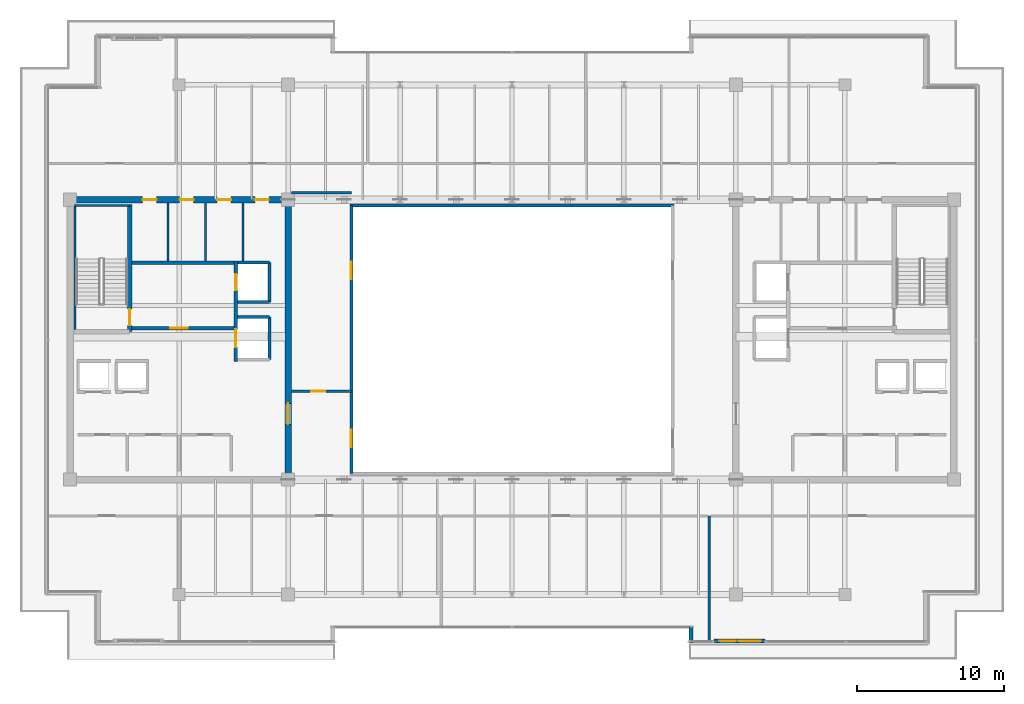
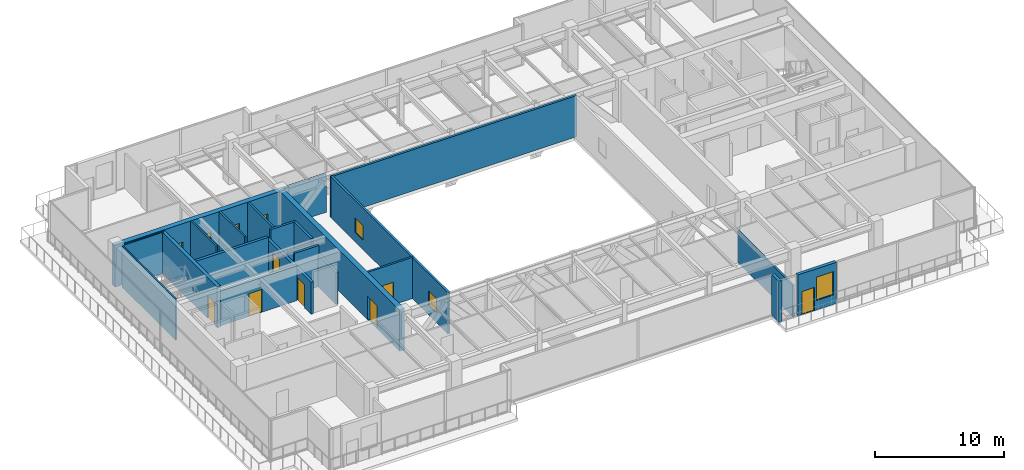
# One storey, part 27 of 34: 23 walls, 11 doors, 3 windows, 14 openings.
"""IFC4 building model written with IfcOpenShell, lengths in metres."""

import ifcopenshell
import ifcopenshell.guid

model = None  # the IFC model being written
_history = None  # IfcOwnerHistory: only IFC2X3 demands one
_inside = {}  # id of a spatial element -> (the spatial element, [elements in it])
_under = {}  # id of a project, library or spatial element -> (it, [spatial elements below it])
_declared = {}  # id of a project -> (the project, [libraries it declares])
_typed = {}  # id of a type object -> (the type object, [elements of that type])
_made_of = {}  # id of a material, layer set ... -> (it, [elements and type objects made of it])


def new_model(schema):
    """Start an empty IFC model of exactly this schema.

    Asked for "IFC4X3", IfcOpenShell would pick the latest addendum, in which some entities
    have other attributes; the version numbers below select the first issue.
    IFC2X3 requires an IfcOwnerHistory on every rooted entity: one is made here for all.
    """
    global model, _history
    if schema == "IFC4X3":
        model = ifcopenshell.file(schema_version=(4, 3, 0, 0))
    else:
        model = ifcopenshell.file(schema=schema)
    _inside.clear()
    _under.clear()
    _declared.clear()
    _typed.clear()
    _made_of.clear()
    _history = None
    if model.schema == "IFC2X3":
        org = make("IfcOrganization", Name="unknown")
        user = make(
            "IfcPersonAndOrganization",
            ThePerson=make("IfcPerson", FamilyName="unknown"),
            TheOrganization=org,
        )
        app = make(
            "IfcApplication",
            ApplicationDeveloper=org,
            Version="unknown",
            ApplicationFullName="unknown",
            ApplicationIdentifier="unknown",
        )
        _history = make(
            "IfcOwnerHistory",
            OwningUser=user,
            OwningApplication=app,
            ChangeAction="ADDED",
            CreationDate=0,
        )
    return model


def make(cls, **values):
    """One entity of the class cls with the attributes given. An attribute that is None is left unset."""
    return model.create_entity(
        cls, **{name: value for name, value in values.items() if value is not None}
    )


def rooted(cls, **values):
    """An entity with a GlobalId (a new one), such as an element, a storey or a relation."""
    return make(cls, GlobalId=ifcopenshell.guid.new(), OwnerHistory=_history, **values)


def si_unit(unit_type, name, prefix=None):
    """IfcSIUnit, for example si_unit("LENGTHUNIT", "METRE", prefix="MILLI")."""
    return make("IfcSIUnit", UnitType=unit_type, Prefix=prefix, Name=name)


def assignment(units):
    """IfcUnitAssignment: the units of a project."""
    return None if units is None else make("IfcUnitAssignment", Units=units)


def point(xyz):
    """IfcCartesianPoint."""
    return None if xyz is None else make("IfcCartesianPoint", Coordinates=xyz)


def direction(xyz):
    """IfcDirection."""
    return None if xyz is None else make("IfcDirection", DirectionRatios=xyz)


def frame(location, z_axis=None, x_axis=None):
    """IfcAxis2Placement3D, a coordinate frame: its origin and axes. An axis left out is left unset."""
    return make(
        "IfcAxis2Placement3D",
        Location=point(location),
        Axis=direction(z_axis),
        RefDirection=direction(x_axis),
    )


def frame_2d(location, x_axis=None):
    """IfcAxis2Placement2D, a coordinate frame in the plane: its origin and x axis."""
    return make(
        "IfcAxis2Placement2D", Location=point(location), RefDirection=direction(x_axis)
    )


def origin():
    """The frame at (0, 0, 0) with its axes left unset."""
    return frame((0.0, 0.0, 0.0))


def place(relative_to, where):
    """IfcLocalPlacement: puts the frame where relative to a parent placement (None: the world)."""
    return make(
        "IfcLocalPlacement", PlacementRelTo=relative_to, RelativePlacement=where
    )


def context(
    kind, dimensions, precision=None, world=None, true_north=None, identifier=None
):
    """IfcGeometricRepresentationContext, for example the 3D "Model" context."""
    return make(
        "IfcGeometricRepresentationContext",
        ContextIdentifier=identifier,
        ContextType=kind,
        CoordinateSpaceDimension=dimensions,
        Precision=precision,
        WorldCoordinateSystem=world,
        TrueNorth=true_north,
    )


def subcontext(parent, identifier, kind, view, scale=None):
    """IfcGeometricRepresentationSubContext, for example "Body" below "Model"."""
    return make(
        "IfcGeometricRepresentationSubContext",
        ContextIdentifier=identifier,
        ContextType=kind,
        ParentContext=parent,
        TargetScale=scale,
        TargetView=view,
    )


def project(units=None, contexts=None):
    """IfcProject with its units and contexts."""
    return rooted(
        "IfcProject",
        Name="project",
        RepresentationContexts=contexts,
        UnitsInContext=assignment(units),
    )


def spatial(cls, under=None, at=None, **own):
    """A site, building, storey or space (cls), placed at a placement, below another one or the project."""
    s = rooted(cls, ObjectPlacement=at, **own)
    if under is not None:
        _under.setdefault(under.id(), (under, []))[1].append(s)
    return s


def profile(cls, at=None, kind="AREA", **sizes):
    """A parametric profile (cls). Its sizes go by their IFC names, for example OverallWidth=200.0."""
    return make(cls, ProfileType=kind, Position=at, **sizes)


def rectangle(**sizes):
    """IfcRectangleProfileDef."""
    return profile("IfcRectangleProfileDef", **sizes)


def extrude(swept, where, along, depth):
    """IfcExtrudedAreaSolid: the profile swept, set in the frame where, extruded along a direction by depth."""
    return make(
        "IfcExtrudedAreaSolid",
        SweptArea=swept,
        Position=where,
        ExtrudedDirection=direction(along),
        Depth=depth,
    )


def shape(context_of_items, identifier, shape_type, items):
    """IfcShapeRepresentation: the items that make up one representation, for example the "Body"."""
    return make(
        "IfcShapeRepresentation",
        ContextOfItems=context_of_items,
        RepresentationIdentifier=identifier,
        RepresentationType=shape_type,
        Items=items,
    )


def source(mapping_origin, context_of_items, identifier, shape_type, items):
    """IfcRepresentationMap: a shape defined once, which mapped items show again and again."""
    return make(
        "IfcRepresentationMap",
        MappingOrigin=mapping_origin,
        MappedRepresentation=shape(context_of_items, identifier, shape_type, items),
    )


def transform(
    local_origin,
    x_axis=None,
    y_axis=None,
    z_axis=None,
    scale=None,
    scale2=None,
    scale3=None,
    uniform=True,
):
    """IfcCartesianTransformationOperator3D, or its non-uniform kind. x_axis, y_axis, z_axis: its Axis1, 2, 3."""
    if uniform:
        return make(
            "IfcCartesianTransformationOperator3D",
            Axis1=direction(x_axis),
            Axis2=direction(y_axis),
            LocalOrigin=point(local_origin),
            Scale=scale,
            Axis3=direction(z_axis),
        )
    return make(
        "IfcCartesianTransformationOperator3DnonUniform",
        Axis1=direction(x_axis),
        Axis2=direction(y_axis),
        LocalOrigin=point(local_origin),
        Scale=scale,
        Axis3=direction(z_axis),
        Scale2=scale2,
        Scale3=scale3,
    )


def mapped(mapping_source, mapping_target):
    """IfcMappedItem: shows the shape of a source again, moved by a transform."""
    return make(
        "IfcMappedItem", MappingSource=mapping_source, MappingTarget=mapping_target
    )


def material(Name=None, Category=None):
    """IfcMaterial."""
    return make("IfcMaterial", Name=Name, Category=Category)


def layer(
    of_material, thickness, ventilated=None, Name=None, Category=None, Priority=None
):
    """IfcMaterialLayer: one layer of a wall or slab, of a material (None: an air gap)."""
    return make(
        "IfcMaterialLayer",
        Material=of_material,
        LayerThickness=thickness,
        IsVentilated=ventilated,
        Name=Name,
        Category=Category,
        Priority=Priority,
    )


def layer_set(layers, Name=None):
    """IfcMaterialLayerSet."""
    return make("IfcMaterialLayerSet", MaterialLayers=layers, LayerSetName=Name)


def made_of(thing, what):
    """Note that an element or type object is made of a material, layer set ...; save() writes the relation."""
    if what is not None:
        _made_of.setdefault(what.id(), (what, []))[1].append(thing)
    return thing


def type_object(cls, material=None, **own):
    """A type object (cls), such as IfcWallType, which elements share."""
    return made_of(rooted(cls, **own), material)


def type_shapes(of_type, sources):
    """Give a type object the sources (RepresentationMaps) that its elements show as mapped items."""
    of_type.RepresentationMaps = sources


def element(
    cls,
    number,
    at=None,
    inside=None,
    cuts=None,
    type_object=None,
    material=None,
    context=None,
    identifier="Body",
    shape_type=None,
    held_by="IfcProductDefinitionShape",
    body=None,
    shapes=None,
    **own,
):
    """One element of the class cls, such as IfcWall. Its Tag is "e" and its number.

    at: its placement. inside: the storey or other place that contains it. cuts: it is an
    opening in that element (IfcRelVoidsElement). A single representation is given by context,
    identifier, shape_type and body (its items); several are given by shapes. held_by: the class
    of the entity that holds the representations. save() writes the other relations.
    """
    e = rooted(cls, Tag="e%d" % number, ObjectPlacement=at, **own)
    if body is not None:
        shapes = [shape(context, identifier, shape_type, body)]
    if shapes is not None:
        e.Representation = make(held_by, Representations=shapes)
    if inside is not None:
        _inside.setdefault(inside.id(), (inside, []))[1].append(e)
    if cuts is not None:
        rooted(
            "IfcRelVoidsElement", RelatingBuildingElement=cuts, RelatedOpeningElement=e
        )
    if type_object is not None:
        _typed.setdefault(type_object.id(), (type_object, []))[1].append(e)
    return made_of(e, material)


def fill(opening, filler):
    """IfcRelFillsElement: the door or window that sits in an opening."""
    return rooted(
        "IfcRelFillsElement",
        RelatingOpeningElement=opening,
        RelatedBuildingElement=filler,
    )


def aggregate(whole, parts):
    """IfcRelAggregates: a whole, such as a stair, and the parts it consists of."""
    return rooted("IfcRelAggregates", RelatingObject=whole, RelatedObjects=parts)


def save(model, path):
    """Write the relations noted so far, then the file.

    IfcRelAggregates (storeys below a building ...), IfcRelContainedInSpatialStructure (elements
    in a storey), IfcRelDefinesByType, IfcRelAssociatesMaterial and IfcRelDeclares: one each for
    every whole, place, type object, material and project.
    """
    for whole, parts in _under.values():
        aggregate(whole, parts)
    for where, things in _inside.values():
        rooted(
            "IfcRelContainedInSpatialStructure",
            RelatedElements=things,
            RelatingStructure=where,
        )
    for kind, things in _typed.values():
        rooted("IfcRelDefinesByType", RelatedObjects=things, RelatingType=kind)
    for what, things in _made_of.values():
        rooted("IfcRelAssociatesMaterial", RelatedObjects=things, RelatingMaterial=what)
    for by, libraries in _declared.values():
        rooted("IfcRelDeclares", RelatingContext=by, RelatedDefinitions=libraries)
    model.write(path)


model = new_model("IFC4")

# Units and contexts
model_context = context("Model", 3, precision=1e-05, world=origin(), true_north=direction((0.0, 1.0)))
body_context = subcontext(model_context, "Body", "Model", "MODEL_VIEW")
ifc_project = project(units=[si_unit("LENGTHUNIT", "METRE"), si_unit("AREAUNIT", "SQUARE_METRE"), si_unit("VOLUMEUNIT", "CUBIC_METRE"), si_unit("PLANEANGLEUNIT", "RADIAN"), si_unit("MASSUNIT", "GRAM", prefix="KILO")], contexts=[model_context])

# Site, building, storey
site_placement = place(None, origin())
site = spatial("IfcSite", under=ifc_project, at=site_placement, CompositionType="ELEMENT")
building_placement = place(site_placement, origin())
building = spatial("IfcBuilding", under=site, at=building_placement, Name="Haelvirn Gate Laboratories", CompositionType="ELEMENT")
storey_placement = place(building_placement, frame((0.0, 0.0, 297.60009765625)))
storey = spatial("IfcBuildingStorey", under=building, at=storey_placement, Name="L71", CompositionType="ELEMENT", Elevation=297.60009765625)

# Wall, openings, door, window
ifc_material_1 = material(Name="Thermally-broken bronze aluminium rainscreen & mineral wool", Category="aluminium")
ifc_layer_1 = layer(ifc_material_1, 0.280029296875, Name="EW-TERR-280")
ifc_layer_set_1 = layer_set([ifc_layer_1], Name="Thermally-broken bronze aluminium rainscreen & mineral wool")
wall_type_1 = type_object("IfcWallType", Name="EW-TERR-280", PredefinedType="STANDARD", material=ifc_layer_set_1)
wall_1_placement = place(storey_placement, frame((51.1220703125, 3.840087890625, 0.0), z_axis=(0.0, 0.0, 1.0), x_axis=(1.0, 0.0, 0.0)))
wall_1 = element("IfcWall", 1, at=wall_1_placement, inside=storey, type_object=wall_type_1, Name="L71 Terrace Access Wall SETB-ES", PredefinedType="STANDARD", context=body_context, shape_type="SweptSolid", body=[
    extrude(rectangle(XDim=3.455810546875, YDim=0.280029296875, at=frame_2d((1.72802734375, 0.0))), origin(), (0.0, 0.0, 1.0), 3.89990234375),
])
opening_1_placement = place(wall_1_placement, frame((0.3779296875, 0.0, 0.0)))
opening_1 = element("IfcOpeningElement", 2, at=opening_1_placement, cuts=wall_1, Name="Opening TD1", PredefinedType="OPENING", context=body_context, shape_type="SweptSolid", body=[
    extrude(rectangle(XDim=1.10009765625, YDim=2.199951171875, at=frame_2d((0.550048828125, 1.10009765625))), frame((0.0, 0.14990234375, 0.0), z_axis=(0.0, -1.0, 0.0), x_axis=(1.0, 0.0, 0.0)), (0.0, 0.0, 1.0), 0.300048828125),
])
opening_2_placement = place(wall_1_placement, frame((1.677978515625, 0.0, 0.89990234375)))
opening_2 = element("IfcOpeningElement", 3, at=opening_2_placement, cuts=wall_1, Name="Opening W3", PredefinedType="OPENING", context=body_context, shape_type="SweptSolid", body=[
    extrude(rectangle(XDim=1.5, YDim=2.199951171875, at=frame_2d((0.75, 1.10009765625))), frame((0.0, 0.14990234375, 0.0), z_axis=(0.0, -1.0, 0.0), x_axis=(1.0, 0.0, 0.0)), (0.0, 0.0, 1.0), 0.300048828125),
])
ifc_material_2 = material(Name="Thermally-broken bronze aluminium glazed terrace door", Category="aluminium")
door_type_1 = type_object("IfcDoorType", Name="DR-TERR-1100", OperationType="NOTDEFINED", PredefinedType="DOOR", material=ifc_material_2)
shared_shape_1 = source(origin(), body_context, "Body", "SweptSolid", [
    extrude(rectangle(XDim=1.10009765625, YDim=2.199951171875, at=frame_2d((0.550048828125, 1.10009765625))), frame((0.0, 0.02490234375, 0.0), z_axis=(0.0, -1.0, 0.0), x_axis=(1.0, 0.0, 0.0)), (0.0, 0.0, 1.0), 0.050048828125),
])
type_shapes(door_type_1, [shared_shape_1])
door_1_placement = place(opening_1_placement, origin())
door_1 = element("IfcDoor", 4, at=door_1_placement, inside=storey, type_object=door_type_1, Name="L71 Terrace Access Door SETB-ES", OperationType="SINGLE_SWING_LEFT", OverallHeight=2.199951171875, OverallWidth=1.10009765625, PredefinedType="DOOR", context=body_context, shape_type="MappedRepresentation", body=[
    mapped(shared_shape_1, transform((0.0, 0.0, 0.0), scale=1.0)),
])
fill(opening_1, door_1)
ifc_material_3 = material(Name="Bronze anodised aluminium & triple low-E glass", Category="aluminium")
window_type_1 = type_object("IfcWindowType", Name="WIN-TERR-1600", PartitioningType="SINGLE_PANEL", PredefinedType="WINDOW", material=ifc_material_3)
shared_shape_2 = source(origin(), body_context, "Body", "SweptSolid", [
    extrude(rectangle(XDim=1.5, YDim=2.199951171875, at=frame_2d((0.75, 1.10009765625))), frame((0.0, 0.030029296875, 0.0), z_axis=(0.0, -1.0, 0.0), x_axis=(1.0, 0.0, 0.0)), (0.0, 0.0, 1.0), 0.06005859375),
])
type_shapes(window_type_1, [shared_shape_2])
window_1_placement = place(opening_2_placement, origin())
window_1 = element("IfcWindow", 5, at=window_1_placement, inside=storey, type_object=window_type_1, Name="L71 Terrace Vision Window SETB-ES", OverallHeight=2.199951171875, OverallWidth=1.5, PartitioningType="SINGLE_PANEL", PredefinedType="WINDOW", context=body_context, shape_type="MappedRepresentation", body=[
    mapped(shared_shape_2, transform((0.0, 0.0, 0.0), scale=1.0)),
])
fill(opening_2, window_1)

# Walls
wall_2_placement = place(storey_placement, frame((49.5400390625, 4.79296875, 0.0), z_axis=(0.0, 0.0, 1.0), x_axis=(0.0, -1.0, 0.0)))
element("IfcWall", 6, at=wall_2_placement, inside=storey, type_object=wall_type_1, Name="L71 Atrium Recess Bronze Return Wall 03", PredefinedType="STANDARD", context=body_context, shape_type="SweptSolid", body=[
    extrude(rectangle(XDim=1.093017578125, YDim=0.280029296875, at=frame_2d((0.54638671875, 0.0))), origin(), (0.0, 0.0, 1.0), 3.89990234375),
])
ifc_material_4 = material(Name="Double-layer acoustic gypsum laboratory partition", Category="gypsum")
ifc_layer_2 = layer(ifc_material_4, 0.159912109375, Name="IW-ACOUST-160")
ifc_layer_set_2 = layer_set([ifc_layer_2], Name="Double-layer acoustic gypsum laboratory partition")
wall_type_2 = type_object("IfcWallType", Name="IW-ACOUST-160", PredefinedType="PARTITIONING", material=ifc_layer_set_2)
wall_3_placement = place(storey_placement, frame((50.800048828125, 3.81005859375, 0.0), z_axis=(0.0, 0.0, 1.0), x_axis=(0.0, 1.0, 0.0)))
element("IfcWall", 7, at=wall_3_placement, inside=storey, type_object=wall_type_2, Name="L71 Interior Wall IW-L71-SDIV-03", PredefinedType="PARTITIONING", context=body_context, shape_type="SweptSolid", body=[
    extrude(rectangle(XDim=8.530029296875, YDim=0.159912109375, at=frame_2d((4.26513671875, 0.0))), origin(), (0.0, 0.0, 1.0), 2.98486328125),
])
ifc_material_5 = material(Name="Fire-rated acoustic gypsum board partition", Category="gypsum")
ifc_layer_3 = layer(ifc_material_5, 0.175048828125, Name="IW-ACOUST-180")
ifc_layer_set_3 = layer_set([ifc_layer_3], Name="Fire-rated acoustic gypsum board partition")
wall_type_3 = type_object("IfcWallType", Name="IW-ACOUST-180", PredefinedType="PARTITIONING", material=ifc_layer_set_3)
wall_4_placement = place(storey_placement, frame((22.425048828125, 34.260009765625, 0.0), z_axis=(0.0, 0.0, 1.0), x_axis=(1.0, 0.0, 0.0)))
element("IfcWall", 8, at=wall_4_placement, inside=storey, type_object=wall_type_3, Name="L71 Interior Wall IW-L71-WPOD-N", PredefinedType="PARTITIONING", context=body_context, shape_type="SweptSolid", body=[
    extrude(rectangle(XDim=4.074951171875, YDim=0.175048828125, at=frame_2d((2.03759765625, 0.0))), origin(), (0.0, 0.0, 1.0), 3.635009765625),
])

# Wall, opening, door
wall_5_placement = place(storey_placement, frame((22.425048828125, 20.800048828125, 0.0), z_axis=(0.0, 0.0, 1.0), x_axis=(1.0, 0.0, 0.0)))
wall_5 = element("IfcWall", 9, at=wall_5_placement, inside=storey, type_object=wall_type_3, Name="L71 Interior Wall IW-L71-WPOD-S", PredefinedType="PARTITIONING", context=body_context, shape_type="SweptSolid", body=[
    extrude(rectangle(XDim=4.074951171875, YDim=0.175048828125, at=frame_2d((2.03759765625, 0.0))), origin(), (0.0, 0.0, 1.0), 3.89990234375),
])
opening_3_placement = place(wall_5_placement, frame((1.35009765625, 0.0, 0.0)))
opening_3 = element("IfcOpeningElement", 10, at=opening_3_placement, cuts=wall_5, Name="Opening FD4", PredefinedType="OPENING", context=body_context, shape_type="SweptSolid", body=[
    extrude(rectangle(XDim=0.949951171875, YDim=2.14990234375, at=frame_2d((0.47509765625, 1.074951171875))), frame((0.0, 0.09765625, 0.0), z_axis=(0.0, -1.0, 0.0), x_axis=(1.0, 0.0, 0.0)), (0.0, 0.0, 1.0), 0.195068359375),
])
ifc_material_6 = material(Name="Fire-rated steel SM355 core service door", Category="steel")
door_type_2 = type_object("IfcDoorType", Name="DR-FD-950", OperationType="NOTDEFINED", PredefinedType="DOOR", material=ifc_material_6)
shared_shape_3 = source(origin(), body_context, "Body", "SweptSolid", [
    extrude(rectangle(XDim=0.949951171875, YDim=2.14990234375, at=frame_2d((0.47509765625, 1.074951171875))), frame((0.0, 0.02490234375, 0.0), z_axis=(0.0, -1.0, 0.0), x_axis=(1.0, 0.0, 0.0)), (0.0, 0.0, 1.0), 0.050048828125),
])
type_shapes(door_type_2, [shared_shape_3])
door_2_placement = place(opening_3_placement, origin())
door_2 = element("IfcDoor", 11, at=door_2_placement, inside=storey, type_object=door_type_2, Name="L71 High-Zone Computational Suite Door", OperationType="SINGLE_SWING_RIGHT", OverallHeight=2.14990234375, OverallWidth=0.949951171875, PredefinedType="DOOR", context=body_context, shape_type="MappedRepresentation", body=[
    mapped(shared_shape_3, transform((0.0, 0.0, 0.0), scale=1.0)),
])
fill(opening_3, door_2)

# Wall, openings, windows
ifc_material_7 = material(Name="Tempered fire-rated borosilicate glass & anodised aluminium", Category="aluminium")
ifc_layer_4 = layer(ifc_material_7, 0.195068359375, Name="IW-GLAZ-200")
ifc_layer_set_4 = layer_set([ifc_layer_4], Name="Tempered fire-rated borosilicate glass & anodised aluminium")
wall_type_4 = type_object("IfcWallType", Name="IW-GLAZ-200", PredefinedType="SOLIDWALL", material=ifc_layer_set_4)
wall_6_placement = place(storey_placement, frame((26.5, 15.199951171875, 0.0), z_axis=(0.0, 0.0, 1.0), x_axis=(0.0, 1.0, 0.0)))
wall_6 = element("IfcWall", 12, at=wall_6_placement, inside=storey, type_object=wall_type_4, Name="L71 Interior Wall IW-L71-ATRIUM-W", PredefinedType="SOLIDWALL", context=body_context, shape_type="SweptSolid", body=[
    extrude(rectangle(XDim=18.199951171875, YDim=0.195068359375, at=frame_2d((9.10009765625, 0.0))), origin(), (0.0, 0.0, 1.0), 3.89990234375),
])
opening_4_placement = place(wall_6_placement, frame((1.800048828125, 0.0, 0.89990234375)))
opening_4 = element("IfcOpeningElement", 13, at=opening_4_placement, cuts=wall_6, Name="Opening W6", PredefinedType="OPENING", context=body_context, shape_type="SweptSolid", body=[
    extrude(rectangle(XDim=1.199951171875, YDim=1.35009765625, at=frame_2d((0.60009765625, 0.675048828125))), frame((0.0, 0.107421875, 0.0), z_axis=(0.0, -1.0, 0.0), x_axis=(1.0, 0.0, 0.0)), (0.0, 0.0, 1.0), 0.215087890625),
])
opening_5_placement = place(wall_6_placement, frame((13.199951171875, 0.0, 0.89990234375)))
opening_5 = element("IfcOpeningElement", 14, at=opening_5_placement, cuts=wall_6, Name="Opening W6", PredefinedType="OPENING", context=body_context, shape_type="SweptSolid", body=[
    extrude(rectangle(XDim=1.199951171875, YDim=1.35009765625, at=frame_2d((0.60009765625, 0.675048828125))), frame((0.0, 0.107421875, 0.0), z_axis=(0.0, -1.0, 0.0), x_axis=(1.0, 0.0, 0.0)), (0.0, 0.0, 1.0), 0.215087890625),
])
ifc_material_8 = material(Name="Fire-rated EI 120 borosilicate atrium vision glazing", Category="glass")
window_type_2 = type_object("IfcWindowType", Name="WN-ATR-1200", PartitioningType="SINGLE_PANEL", PredefinedType="WINDOW", material=ifc_material_8)
shared_shape_4 = source(origin(), body_context, "Body", "SweptSolid", [
    extrude(rectangle(XDim=1.199951171875, YDim=1.35009765625, at=frame_2d((0.60009765625, 0.675048828125))), frame((0.0, 0.030029296875, 0.0), z_axis=(0.0, -1.0, 0.0), x_axis=(1.0, 0.0, 0.0)), (0.0, 0.0, 1.0), 0.06005859375),
])
type_shapes(window_type_2, [shared_shape_4])
window_2_placement = place(opening_4_placement, origin())
window_2 = element("IfcWindow", 15, at=window_2_placement, inside=storey, type_object=window_type_2, Name="L71 Atrium Observation Window 1", OverallHeight=1.35009765625, OverallWidth=1.199951171875, PartitioningType="SINGLE_PANEL", PredefinedType="WINDOW", context=body_context, shape_type="MappedRepresentation", body=[
    mapped(shared_shape_4, transform((0.0, 0.0, 0.0), scale=1.0)),
])
fill(opening_4, window_2)
window_3_placement = place(opening_5_placement, origin())
window_3 = element("IfcWindow", 16, at=window_3_placement, inside=storey, type_object=window_type_2, Name="L71 Atrium Observation Window 2", OverallHeight=1.35009765625, OverallWidth=1.199951171875, PartitioningType="SINGLE_PANEL", PredefinedType="WINDOW", context=body_context, shape_type="MappedRepresentation", body=[
    mapped(shared_shape_4, transform((0.0, 0.0, 0.0), scale=1.0)),
])
fill(opening_5, window_3)

# Walls
wall_7_placement = place(storey_placement, frame((26.39990234375, 33.39990234375, 0.0), z_axis=(0.0, 0.0, 1.0), x_axis=(1.0, 0.0, 0.0)))
element("IfcWall", 17, at=wall_7_placement, inside=storey, type_object=wall_type_4, Name="L71 Interior Wall IW-L71-ATRIUM-N", PredefinedType="SOLIDWALL", context=body_context, shape_type="SweptSolid", body=[
    extrude(rectangle(XDim=22.0, YDim=0.195068359375, at=frame_2d((11.0, 0.0))), origin(), (0.0, 0.0, 1.0), 3.89990234375),
])
ifc_material_9 = material(Name="Cement-board restroom plumbing chase wall", Category="gypsum")
ifc_layer_5 = layer(ifc_material_9, 0.155029296875, Name="IW-PLUMB-160")
ifc_layer_set_5 = layer_set([ifc_layer_5], Name="Cement-board restroom plumbing chase wall")
wall_type_5 = type_object("IfcWallType", Name="IW-PLUMB-160", PredefinedType="PLUMBINGWALL", material=ifc_layer_set_5)
for number, where, z_axis, x_axis, name in (
    (18, (14.0400390625, 29.64990234375, 0.0), (0.0, 0.0, 1.0), (0.0, 1.0, 0.0), "L71 Interior Wall IW-L71-W-CDIV-1"),
    (19, (16.590087890625, 29.64990234375, 0.0), (0.0, 0.0, 1.0), (0.0, 1.0, 0.0), "L71 Interior Wall IW-L71-W-CDIV-2"),
    (20, (19.139892578125, 29.64990234375, 0.0), (0.0, 0.0, 1.0), (0.0, 1.0, 0.0), "L71 Interior Wall IW-L71-W-CDIV-3"),
):
    element("IfcWall", number, at=place(storey_placement, frame(where, z_axis=z_axis, x_axis=x_axis)), inside=storey, type_object=wall_type_5, Name=name, PredefinedType="PLUMBINGWALL", context=body_context, shape_type="SweptSolid", body=[
        extrude(rectangle(XDim=3.93017578125, YDim=0.155029296875, at=frame_2d((1.965087890625, 0.0))), origin(), (0.0, 0.0, 1.0), 3.89990234375),
    ])
ifc_material_10 = material(Name="Concrete C40/50", Category="concrete")
ifc_layer_6 = layer(ifc_material_10, 0.199951171875, Name="IW-SHAFT-200")
ifc_layer_set_6 = layer_set([ifc_layer_6], Name="Concrete C40/50")
wall_type_6 = type_object("IfcWallType", Name="IW-SHAFT-200", PredefinedType="SOLIDWALL", material=ifc_layer_set_6)
wall_8_placement = place(storey_placement, frame((20.949951171875, 26.85009765625, 0.0), z_axis=(0.0, 0.0, 1.0), x_axis=(0.0, 1.0, 0.0)))
element("IfcWall", 21, at=wall_8_placement, inside=storey, type_object=wall_type_6, Name="L71 Interior Wall IW-L71-FL1-BK", PredefinedType="SOLIDWALL", context=body_context, shape_type="SweptSolid", body=[
    extrude(rectangle(XDim=2.699951171875, YDim=0.199951171875, at=frame_2d((1.35009765625, 0.0))), origin(), (0.0, 0.0, 1.0), 3.89990234375),
])
wall_9_placement = place(storey_placement, frame((18.760009765625, 29.550048828125, 0.0), z_axis=(0.0, 0.0, 1.0), x_axis=(1.0, 0.0, 0.0)))
element("IfcWall", 22, at=wall_9_placement, inside=storey, type_object=wall_type_6, Name="L71 Interior Wall IW-L71-FL1-N", PredefinedType="SOLIDWALL", context=body_context, shape_type="SweptSolid", body=[
    extrude(rectangle(XDim=2.18994140625, YDim=0.199951171875, at=frame_2d((1.094970703125, 0.0))), origin(), (0.0, 0.0, 1.0), 3.89990234375),
])
wall_10_placement = place(storey_placement, frame((18.760009765625, 26.85009765625, 0.0), z_axis=(0.0, 0.0, 1.0), x_axis=(1.0, 0.0, 0.0)))
element("IfcWall", 23, at=wall_10_placement, inside=storey, type_object=wall_type_6, Name="L71 Interior Wall IW-L71-FL1-S", PredefinedType="SOLIDWALL", context=body_context, shape_type="SweptSolid", body=[
    extrude(rectangle(XDim=2.18994140625, YDim=0.199951171875, at=frame_2d((1.094970703125, 0.0))), origin(), (0.0, 0.0, 1.0), 3.296875),
])
wall_11_placement = place(storey_placement, frame((20.949951171875, 22.949951171875, 0.0), z_axis=(0.0, 0.0, 1.0), x_axis=(0.0, 1.0, 0.0)))
element("IfcWall", 24, at=wall_11_placement, inside=storey, type_object=wall_type_6, Name="L71 Interior Wall IW-L71-SL1-BK", PredefinedType="SOLIDWALL", context=body_context, shape_type="SweptSolid", body=[
    extrude(rectangle(XDim=2.900146484375, YDim=0.199951171875, at=frame_2d((1.4501953125, 0.0))), origin(), (0.0, 0.0, 1.0), 3.034912109375),
])
wall_12_placement = place(storey_placement, frame((18.760009765625, 25.85009765625, 0.0), z_axis=(0.0, 0.0, 1.0), x_axis=(1.0, 0.0, 0.0)))
element("IfcWall", 25, at=wall_12_placement, inside=storey, type_object=wall_type_6, Name="L71 Interior Wall IW-L71-SL1-N", PredefinedType="SOLIDWALL", context=body_context, shape_type="SweptSolid", body=[
    extrude(rectangle(XDim=2.18994140625, YDim=0.199951171875, at=frame_2d((1.094970703125, 0.0))), origin(), (0.0, 0.0, 1.0), 3.89990234375),
])

# Wall, opening, door
ifc_layer_7 = layer(ifc_material_10, 0.239990234375, Name="IW-SHAFT-240")
ifc_layer_set_7 = layer_set([ifc_layer_7], Name="Concrete C40/50")
wall_type_7 = type_object("IfcWallType", Name="IW-SHAFT-240", PredefinedType="SOLIDWALL", material=ifc_layer_set_7)
wall_13_placement = place(storey_placement, frame((11.60009765625, 25.080078125, 0.0), z_axis=(0.0, 0.0, 1.0), x_axis=(1.0, 0.0, 0.0)))
wall_13 = element("IfcWall", 26, at=wall_13_placement, inside=storey, type_object=wall_type_7, Name="L71 Interior Wall IW-L71-W-FF-S", PredefinedType="SOLIDWALL", context=body_context, shape_type="SweptSolid", body=[
    extrude(rectangle(XDim=6.919921875, YDim=0.239990234375, at=frame_2d((3.4599609375, 0.0))), origin(), (0.0, 0.0, 1.0), 3.296875),
])
opening_6_placement = place(wall_13_placement, frame((2.60009765625, 0.0, 0.0)))
opening_6 = element("IfcOpeningElement", 27, at=opening_6_placement, cuts=wall_13, Name="Opening FD2", PredefinedType="OPENING", context=body_context, shape_type="SweptSolid", body=[
    extrude(rectangle(XDim=1.199951171875, YDim=2.159912109375, at=frame_2d((0.60009765625, 1.080078125))), frame((0.0, 0.1298828125, 0.0), z_axis=(0.0, -1.0, 0.0), x_axis=(1.0, 0.0, 0.0)), (0.0, 0.0, 1.0), 0.260009765625),
])
ifc_material_11 = material(Name="Fire-rated steel SM355 compartment door", Category="steel")
door_type_3 = type_object("IfcDoorType", Name="DR-FD-1200", OperationType="NOTDEFINED", PredefinedType="DOOR", material=ifc_material_11)
shared_shape_5 = source(origin(), body_context, "Body", "SweptSolid", [
    extrude(rectangle(XDim=1.199951171875, YDim=2.159912109375, at=frame_2d((0.60009765625, 1.080078125))), frame((0.0, 0.02490234375, 0.0), z_axis=(0.0, -1.0, 0.0), x_axis=(1.0, 0.0, 0.0)), (0.0, 0.0, 1.0), 0.050048828125),
])
type_shapes(door_type_3, [shared_shape_5])
door_3_placement = place(opening_6_placement, origin())
door_3 = element("IfcDoor", 28, at=door_3_placement, inside=storey, type_object=door_type_3, Name="L71 West Firefighting Lobby Door", OperationType="SINGLE_SWING_RIGHT", OverallHeight=2.159912109375, OverallWidth=1.199951171875, PredefinedType="DOOR", context=body_context, shape_type="MappedRepresentation", body=[
    mapped(shared_shape_5, transform((0.0, 0.0, 0.0), scale=1.0)),
])
fill(opening_6, door_3)

# Wall
wall_14_placement = place(storey_placement, frame((11.60009765625, 29.52001953125, 0.0), z_axis=(0.0, 0.0, 1.0), x_axis=(1.0, 0.0, 0.0)))
element("IfcWall", 29, at=wall_14_placement, inside=storey, type_object=wall_type_7, Name="L71 Interior Wall IW-L71-W-FF-N", PredefinedType="SOLIDWALL", context=body_context, shape_type="SweptSolid", body=[
    extrude(rectangle(XDim=6.919921875, YDim=0.239990234375, at=frame_2d((3.4599609375, 0.0))), origin(), (0.0, 0.0, 1.0), 3.296875),
])

# Wall, openings, doors
wall_15_placement = place(storey_placement, frame((18.639892578125, 22.800048828125, 0.0), z_axis=(0.0, 0.0, 1.0), x_axis=(0.0, 1.0, 0.0)))
wall_15 = element("IfcWall", 30, at=wall_15_placement, inside=storey, type_object=wall_type_7, Name="L71 Interior Wall IW-L71-W-FF-E", PredefinedType="SOLIDWALL", context=body_context, shape_type="SweptSolid", body=[
    extrude(rectangle(XDim=6.849853515625, YDim=0.239990234375, at=frame_2d((3.4248046875, 0.0))), origin(), (0.0, 0.0, 1.0), 3.034912109375),
])
opening_7_placement = place(wall_15_placement, frame((4.85009765625, 0.0, 0.0)))
opening_7 = element("IfcOpeningElement", 31, at=opening_7_placement, cuts=wall_15, Name="Opening LD2", PredefinedType="OPENING", context=body_context, shape_type="SweptSolid", body=[
    extrude(rectangle(XDim=1.10009765625, YDim=2.219970703125, at=frame_2d((0.550048828125, 1.10986328125))), frame((0.0, 0.1298828125, 0.0), z_axis=(0.0, -1.0, 0.0), x_axis=(1.0, 0.0, 0.0)), (0.0, 0.0, 1.0), 0.260009765625),
])
opening_8_placement = place(wall_15_placement, frame((1.0, 0.0, 0.0)))
opening_8 = element("IfcOpeningElement", 32, at=opening_8_placement, cuts=wall_15, Name="Opening LD1", PredefinedType="OPENING", context=body_context, shape_type="SweptSolid", body=[
    extrude(rectangle(XDim=1.199951171875, YDim=2.219970703125, at=frame_2d((0.60009765625, 1.10986328125))), frame((0.0, 0.1298828125, 0.0), z_axis=(0.0, -1.0, 0.0), x_axis=(1.0, 0.0, 0.0)), (0.0, 0.0, 1.0), 0.260009765625),
])
ifc_material_12 = material(Name="Bronze stainless 316L sliding lift landing door")
door_type_4 = type_object("IfcDoorType", Name="DR-LD-1100", OperationType="NOTDEFINED", PredefinedType="USERDEFINED", material=ifc_material_12)
shared_shape_6 = source(origin(), body_context, "Body", "SweptSolid", [
    extrude(rectangle(XDim=1.10009765625, YDim=2.219970703125, at=frame_2d((0.550048828125, 1.10986328125))), frame((0.0, 0.02490234375, 0.0), z_axis=(0.0, -1.0, 0.0), x_axis=(1.0, 0.0, 0.0)), (0.0, 0.0, 1.0), 0.050048828125),
])
type_shapes(door_type_4, [shared_shape_6])
door_4_placement = place(opening_7_placement, origin())
door_4 = element("IfcDoor", 33, at=door_4_placement, inside=storey, type_object=door_type_4, Name="L71 Firefighting Lift FL1 Landing Door", ObjectType="LANDING_DOOR", OperationType="SLIDING_TO_LEFT", OverallHeight=2.219970703125, OverallWidth=1.10009765625, PredefinedType="USERDEFINED", context=body_context, shape_type="MappedRepresentation", body=[
    mapped(shared_shape_6, transform((0.0, 0.0, 0.0), scale=1.0)),
])
fill(opening_7, door_4)
ifc_material_13 = material(Name="Stainless steel 316L sliding goods landing door", Category="steel")
door_type_5 = type_object("IfcDoorType", Name="DR-LD-1200", OperationType="NOTDEFINED", PredefinedType="USERDEFINED", material=ifc_material_13)
shared_shape_7 = source(origin(), body_context, "Body", "SweptSolid", [
    extrude(rectangle(XDim=1.199951171875, YDim=2.219970703125, at=frame_2d((0.60009765625, 1.10986328125))), frame((0.0, 0.02490234375, 0.0), z_axis=(0.0, -1.0, 0.0), x_axis=(1.0, 0.0, 0.0)), (0.0, 0.0, 1.0), 0.050048828125),
])
type_shapes(door_type_5, [shared_shape_7])
door_5_placement = place(opening_8_placement, origin())
door_5 = element("IfcDoor", 34, at=door_5_placement, inside=storey, type_object=door_type_5, Name="L71 Service Lift SL1 Landing Door", ObjectType="LANDING_DOOR", OperationType="SLIDING_TO_RIGHT", OverallHeight=2.219970703125, OverallWidth=1.199951171875, PredefinedType="USERDEFINED", context=body_context, shape_type="MappedRepresentation", body=[
    mapped(shared_shape_7, transform((0.0, 0.0, 0.0), scale=1.0)),
])
fill(opening_8, door_5)

ifc_material_14 = material(Name="Concrete C50/60", Category="concrete")
ifc_layer_8 = layer(ifc_material_14, 0.449951171875, Name="SW-CORE-450")
ifc_layer_set_8 = layer_set([ifc_layer_8], Name="Concrete C50/60")
wall_type_8 = type_object("IfcWallType", Name="SW-CORE-450", PredefinedType="SHEAR", material=ifc_layer_set_8)
wall_16_placement = place(storey_placement, frame((7.175048828125, 33.800048828125, 0.0), z_axis=(0.0, 0.0, 1.0), x_axis=(1.0, 0.0, 0.0)))
wall_16 = element("IfcWall", 35, at=wall_16_placement, inside=storey, type_object=wall_type_8, Name="L71 W Core Shear Wall N", PredefinedType="SHEAR", context=body_context, shape_type="SweptSolid", body=[
    extrude(rectangle(XDim=15.25, YDim=0.449951171875, at=frame_2d((7.625, 0.0))), origin(), (0.0, 0.0, 1.0), 3.89990234375),
])
opening_9_placement = place(wall_16_placement, frame((5.14990234375, 0.0, 0.0)))
opening_9 = element("IfcOpeningElement", 36, at=opening_9_placement, cuts=wall_16, Name="Opening FD4", PredefinedType="OPENING", context=body_context, shape_type="SweptSolid", body=[
    extrude(rectangle(XDim=0.949951171875, YDim=2.14990234375, at=frame_2d((0.47509765625, 1.074951171875))), frame((0.0, 0.23486328125, 0.0), z_axis=(0.0, -1.0, 0.0), x_axis=(1.0, 0.0, 0.0)), (0.0, 0.0, 1.0), 0.469970703125),
])
opening_10_placement = place(wall_16_placement, frame((7.6650390625, 0.0, 0.0)))
opening_10 = element("IfcOpeningElement", 37, at=opening_10_placement, cuts=wall_16, Name="Opening FD4", PredefinedType="OPENING", context=body_context, shape_type="SweptSolid", body=[
    extrude(rectangle(XDim=0.949951171875, YDim=2.14990234375, at=frame_2d((0.47509765625, 1.074951171875))), frame((0.0, 0.23486328125, 0.0), z_axis=(0.0, -1.0, 0.0), x_axis=(1.0, 0.0, 0.0)), (0.0, 0.0, 1.0), 0.469970703125),
])
opening_11_placement = place(wall_16_placement, frame((10.215087890625, 0.0, 0.0)))
opening_11 = element("IfcOpeningElement", 38, at=opening_11_placement, cuts=wall_16, Name="Opening FD4", PredefinedType="OPENING", context=body_context, shape_type="SweptSolid", body=[
    extrude(rectangle(XDim=0.949951171875, YDim=2.14990234375, at=frame_2d((0.47509765625, 1.074951171875))), frame((0.0, 0.23486328125, 0.0), z_axis=(0.0, -1.0, 0.0), x_axis=(1.0, 0.0, 0.0)), (0.0, 0.0, 1.0), 0.469970703125),
])
opening_12_placement = place(wall_16_placement, frame((12.764892578125, 0.0, 0.0)))
opening_12 = element("IfcOpeningElement", 39, at=opening_12_placement, cuts=wall_16, Name="Opening FD4", PredefinedType="OPENING", context=body_context, shape_type="SweptSolid", body=[
    extrude(rectangle(XDim=0.949951171875, YDim=2.14990234375, at=frame_2d((0.47509765625, 1.074951171875))), frame((0.0, 0.23486328125, 0.0), z_axis=(0.0, -1.0, 0.0), x_axis=(1.0, 0.0, 0.0)), (0.0, 0.0, 1.0), 0.469970703125),
])
door_6_placement = place(opening_9_placement, origin())
door_6 = element("IfcDoor", 40, at=door_6_placement, inside=storey, type_object=door_type_2, Name="L71 Male Restroom Fire Door", OperationType="SINGLE_SWING_RIGHT", OverallHeight=2.14990234375, OverallWidth=0.949951171875, PredefinedType="DOOR", context=body_context, shape_type="MappedRepresentation", body=[
    mapped(shared_shape_3, transform((0.0, 0.0, 0.0), scale=1.0)),
])
fill(opening_9, door_6)
door_7_placement = place(opening_10_placement, origin())
door_7 = element("IfcDoor", 41, at=door_7_placement, inside=storey, type_object=door_type_2, Name="L71 Female Restroom Fire Door", OperationType="SINGLE_SWING_LEFT", OverallHeight=2.14990234375, OverallWidth=0.949951171875, PredefinedType="DOOR", context=body_context, shape_type="MappedRepresentation", body=[
    mapped(shared_shape_3, transform((0.0, 0.0, 0.0), scale=1.0)),
])
fill(opening_10, door_7)
door_8_placement = place(opening_11_placement, origin())
door_8 = element("IfcDoor", 42, at=door_8_placement, inside=storey, type_object=door_type_2, Name="L71 Accessible Restroom Fire Door", OperationType="SINGLE_SWING_RIGHT", OverallHeight=2.14990234375, OverallWidth=0.949951171875, PredefinedType="DOOR", context=body_context, shape_type="MappedRepresentation", body=[
    mapped(shared_shape_3, transform((0.0, 0.0, 0.0), scale=1.0)),
])
fill(opening_11, door_8)
door_9_placement = place(opening_12_placement, origin())
door_9 = element("IfcDoor", 43, at=door_9_placement, inside=storey, type_object=door_type_2, Name="L71 Decontamination Shower Washroom Fire Door", OperationType="SINGLE_SWING_LEFT", OverallHeight=2.14990234375, OverallWidth=0.949951171875, PredefinedType="DOOR", context=body_context, shape_type="MappedRepresentation", body=[
    mapped(shared_shape_3, transform((0.0, 0.0, 0.0), scale=1.0)),
])
fill(opening_12, door_9)

# Wall, opening, door
wall_17_placement = place(storey_placement, frame((22.199951171875, 15.02490234375, 0.0), z_axis=(0.0, 0.0, 1.0), x_axis=(0.0, 1.0, 0.0)))
wall_17 = element("IfcWall", 44, at=wall_17_placement, inside=storey, type_object=wall_type_8, Name="L71 W Core Shear Wall E", PredefinedType="SHEAR", context=body_context, shape_type="SweptSolid", body=[
    extrude(rectangle(XDim=18.550048828125, YDim=0.449951171875, at=frame_2d((9.27490234375, 0.0))), origin(), (0.0, 0.0, 1.0), 3.89990234375),
])
opening_13_placement = place(wall_17_placement, frame((3.52490234375, 0.0, 0.0)))
opening_13 = element("IfcOpeningElement", 45, at=opening_13_placement, cuts=wall_17, Name="Opening FD1", PredefinedType="OPENING", context=body_context, shape_type="SweptSolid", body=[
    extrude(rectangle(XDim=1.419921875, YDim=2.199951171875, at=frame_2d((0.7099609375, 1.10009765625))), frame((0.0, 0.23486328125, 0.0), z_axis=(0.0, -1.0, 0.0), x_axis=(1.0, 0.0, 0.0)), (0.0, 0.0, 1.0), 0.469970703125),
])
ifc_material_15 = material(Name="Fire-rated double steel SM355 lobby door", Category="steel")
door_type_6 = type_object("IfcDoorType", Name="DR-FD-1400", OperationType="NOTDEFINED", PredefinedType="DOOR", material=ifc_material_15)
shared_shape_8 = source(origin(), body_context, "Body", "SweptSolid", [
    extrude(rectangle(XDim=1.419921875, YDim=2.199951171875, at=frame_2d((0.7099609375, 1.10009765625))), frame((0.0, 0.02490234375, 0.0), z_axis=(0.0, -1.0, 0.0), x_axis=(1.0, 0.0, 0.0)), (0.0, 0.0, 1.0), 0.050048828125),
])
type_shapes(door_type_6, [shared_shape_8])
door_10_placement = place(opening_13_placement, origin())
door_10 = element("IfcDoor", 46, at=door_10_placement, inside=storey, type_object=door_type_6, Name="L71 West Core Lift Lobby Fire Door", OperationType="DOUBLE_DOOR_SINGLE_SWING", OverallHeight=2.199951171875, OverallWidth=1.419921875, PredefinedType="DOOR", context=body_context, shape_type="MappedRepresentation", body=[
    mapped(shared_shape_8, transform((0.0, 0.0, 0.0), scale=1.0)),
])
fill(opening_13, door_10)

# Walls
ifc_layer_9 = layer(ifc_material_14, 0.1201171875, Name="SW-LINER-120")
ifc_layer_set_9 = layer_set([ifc_layer_9], Name="Concrete C50/60")
wall_type_9 = type_object("IfcWallType", Name="SW-LINER-120", PredefinedType="SOLIDWALL", material=ifc_layer_set_9)
wall_18_placement = place(storey_placement, frame((7.72998046875, 33.39990234375, 0.0), z_axis=(0.0, 0.0, 1.0), x_axis=(1.0, 0.0, 0.0)))
element("IfcWall", 47, at=wall_18_placement, inside=storey, type_object=wall_type_9, Name="L71 W Core Stair Shaft Liner Wall N", PredefinedType="SOLIDWALL", context=body_context, shape_type="SweptSolid", body=[
    extrude(rectangle(XDim=3.719970703125, YDim=0.1201171875, at=frame_2d((1.85986328125, 0.0))), origin(), (0.0, 0.0, 1.0), 3.89990234375),
])
wall_19_placement = place(storey_placement, frame((7.72998046875, 25.0, 0.0), z_axis=(0.0, 0.0, 1.0), x_axis=(0.0, 1.0, 0.0)))
element("IfcWall", 48, at=wall_19_placement, inside=storey, type_object=wall_type_9, Name="L71 W Core Stair Shaft Liner Wall OUT", PredefinedType="SOLIDWALL", context=body_context, shape_type="SweptSolid", body=[
    extrude(rectangle(XDim=8.320068359375, YDim=0.1201171875, at=frame_2d((4.16015625, 0.0))), origin(), (0.0, 0.0, 1.0), 3.89990234375),
])

# Wall, opening, door
ifc_layer_10 = layer(ifc_material_14, 0.300048828125, Name="SW-STAIR-300")
ifc_layer_set_10 = layer_set([ifc_layer_10], Name="Concrete C50/60")
wall_type_10 = type_object("IfcWallType", Name="SW-STAIR-300", PredefinedType="SHEAR", material=ifc_layer_set_10)
wall_20_placement = place(storey_placement, frame((11.449951171875, 24.85009765625, 0.0), z_axis=(0.0, 0.0, 1.0), x_axis=(0.0, 1.0, 0.0)))
wall_20 = element("IfcWall", 49, at=wall_20_placement, inside=storey, type_object=wall_type_10, Name="L71 W Core Stair Shaft Structural Wall IN", PredefinedType="SHEAR", context=body_context, shape_type="SweptSolid", body=[
    extrude(rectangle(XDim=8.6298828125, YDim=0.300048828125, at=frame_2d((4.31494140625, 0.0))), origin(), (0.0, 0.0, 1.0), 3.89990234375),
])
opening_14_placement = place(wall_20_placement, frame((0.419921875, 0.0, 0.0)))
opening_14 = element("IfcOpeningElement", 50, at=opening_14_placement, cuts=wall_20, Name="Opening FD3", PredefinedType="OPENING", context=body_context, shape_type="SweptSolid", body=[
    extrude(rectangle(XDim=1.10009765625, YDim=2.14990234375, at=frame_2d((0.550048828125, 1.074951171875))), frame((0.0, 0.16015625, 0.0), z_axis=(0.0, -1.0, 0.0), x_axis=(1.0, 0.0, 0.0)), (0.0, 0.0, 1.0), 0.320068359375),
])
ifc_material_16 = material(Name="Fire-rated steel SM355 escape stair door", Category="steel")
door_type_7 = type_object("IfcDoorType", Name="DR-FD-1100", OperationType="NOTDEFINED", PredefinedType="DOOR", material=ifc_material_16)
shared_shape_9 = source(origin(), body_context, "Body", "SweptSolid", [
    extrude(rectangle(XDim=1.10009765625, YDim=2.14990234375, at=frame_2d((0.550048828125, 1.074951171875))), frame((0.0, 0.02490234375, 0.0), z_axis=(0.0, -1.0, 0.0), x_axis=(1.0, 0.0, 0.0)), (0.0, 0.0, 1.0), 0.050048828125),
])
type_shapes(door_type_7, [shared_shape_9])
door_11_placement = place(opening_14_placement, origin())
door_11 = element("IfcDoor", 51, at=door_11_placement, inside=storey, type_object=door_type_7, Name="L71 Escape Stair ST1 Fire Door", OperationType="SINGLE_SWING_LEFT", OverallHeight=2.14990234375, OverallWidth=1.10009765625, PredefinedType="DOOR", context=body_context, shape_type="MappedRepresentation", body=[
    mapped(shared_shape_9, transform((0.0, 0.0, 0.0), scale=1.0)),
])
fill(opening_14, door_11)

save(model, "model.ifc")
